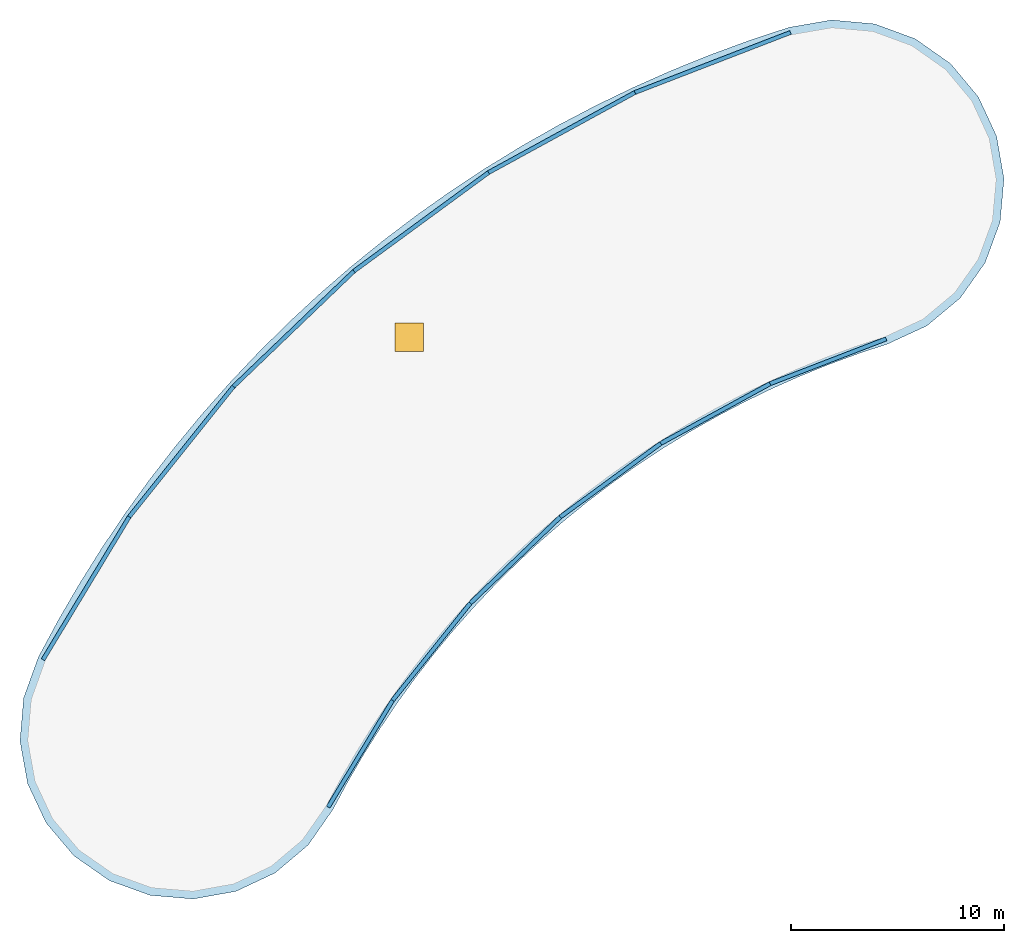
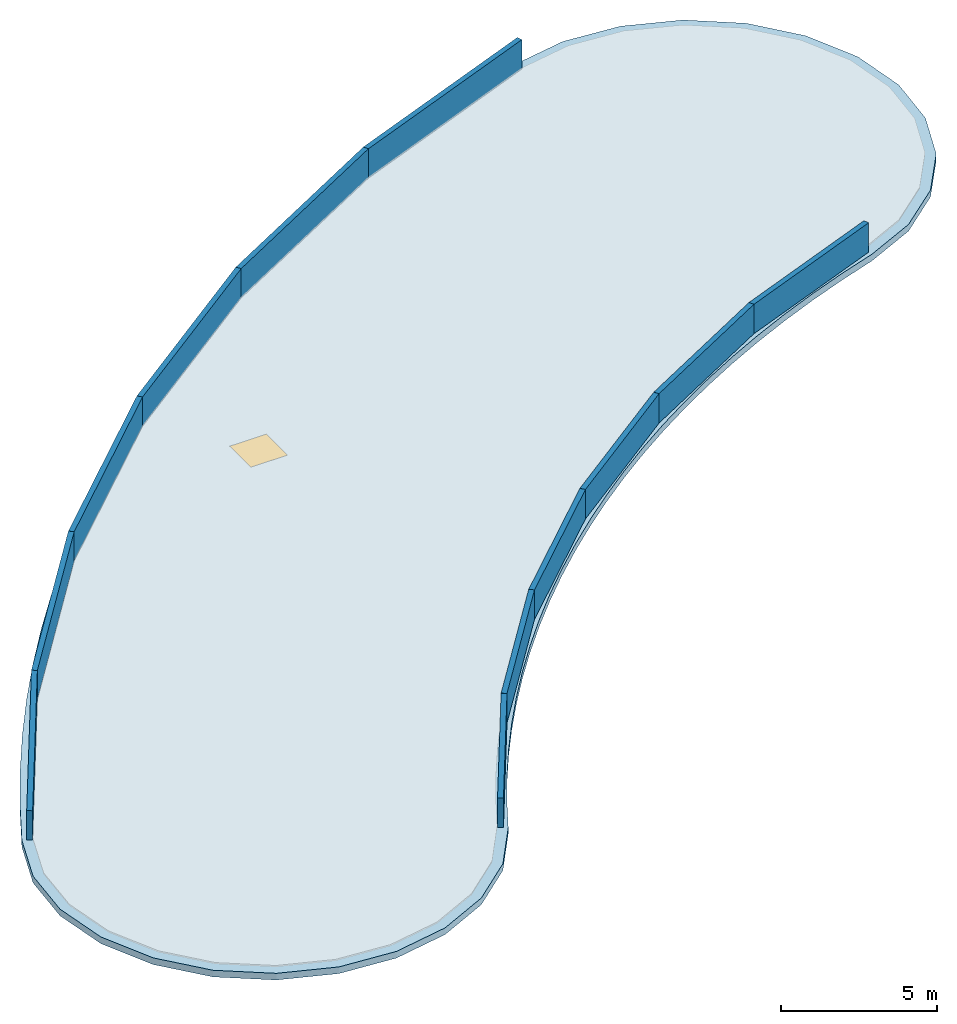
"""IFC4 building model written with IfcOpenShell, lengths in metres."""

from ifc_helpers import new_model, si_unit, direction, frame, frame_2d, origin, origin_2d, place, context, subcontext, project, spatial, polyline, rectangle, outline, extrude, material, layer, layer_set, type_object, element, fill, save


model = new_model("IFC4")

# Units and contexts
model_context = context("Model", 3, precision=1e-05, world=origin(), true_north=direction((0.0, 1.0)))
body_context = subcontext(model_context, "Body", "Model", "MODEL_VIEW")
ifc_project = project(units=[si_unit("LENGTHUNIT", "METRE"), si_unit("AREAUNIT", "SQUARE_METRE"), si_unit("VOLUMEUNIT", "CUBIC_METRE"), si_unit("PLANEANGLEUNIT", "RADIAN"), si_unit("MASSUNIT", "GRAM", prefix="KILO")], contexts=[model_context])

# Site, building, storey
site_placement = place(None, origin())
site = spatial("IfcSite", under=ifc_project, at=site_placement, CompositionType="ELEMENT")
building_placement = place(site_placement, origin())
building = spatial("IfcBuilding", under=site, at=building_placement, Name="Tanwirah Colonnade Gardens", CompositionType="ELEMENT")
storey_1_placement = place(building_placement, frame((0.0, 0.0, 52.52001953125)))
storey_1 = spatial("IfcBuildingStorey", under=building, at=storey_1_placement, Name="RF", CompositionType="ELEMENT", Elevation=52.52001953125)

# Slab, opening
ifc_material_1 = material(Name="Precast concrete C45/55", Category="concrete")
ifc_layer_1 = layer(ifc_material_1, 0.260009765625)
ifc_layer_set_1 = layer_set([ifc_layer_1], Name="Precast concrete C45/55")
slab_type = type_object("IfcSlabType", Name="RF-RES-260", PredefinedType="ROOF", material=ifc_layer_set_1)
slab_placement = place(storey_1_placement, frame((0.0, 0.0, -0.260009765625)))
slab = element("IfcSlab", 1, at=slab_placement, inside=storey_1, type_object=slab_type, Name="Block A Main Precast Roof Slab", PredefinedType="ROOF", context=body_context, shape_type="SweptSolid", body=[
    extrude(outline(polyline([(53.679443359375, 103.248046875), (55.242919921875, 104.55224609375), (56.415771484375, 106.216796875), (57.11767578125, 108.128173828125), (57.30126953125, 110.156005859375), (56.953369140625, 112.162353515625), (56.09814453125, 114.01025390625), (54.7939453125, 115.573974609375), (53.12939453125, 116.746826171875), (51.218017578125, 117.44873046875), (49.190185546875, 117.632080078125), (47.183837890625, 117.284423828125), (45.311767578125, 116.666015625), (43.46142578125, 115.986328125), (41.63427734375, 115.24609375), (39.83251953125, 114.446044921875), (38.05810546875, 113.587158203125), (36.313232421875, 112.669921875), (34.599365234375, 111.696044921875), (32.91845703125, 110.666015625), (31.2724609375, 109.5810546875), (29.6630859375, 108.442626953125), (28.092041015625, 107.25146484375), (26.561279296875, 106.009521484375), (25.072265625, 104.717529296875), (23.62646484375, 103.377197265625), (22.225830078125, 101.990234375), (20.87158203125, 100.5576171875), (19.5654296875, 99.0810546875), (18.30859375, 97.562255859375), (17.102294921875, 96.0029296875), (15.9482421875, 94.40478515625), (14.847412109375, 92.76953125), (13.80126953125, 91.0986328125), (12.810546875, 89.394287109375), (11.876708984375, 87.658203125), (11.185791015625, 85.74267578125), (11.01416015625, 83.7138671875), (11.37353515625, 81.70947265625), (12.239501953125, 79.86669921875), (13.552978515625, 78.310546875), (15.224365234375, 77.1474609375), (17.1396484375, 76.456787109375), (19.168701171875, 76.28515625), (21.1728515625, 76.64453125), (23.015869140625, 77.510498046875), (24.57177734375, 78.82373046875), (25.73486328125, 80.4951171875), (26.42529296875, 81.7783203125), (27.157470703125, 83.0380859375), (27.9306640625, 84.27294921875), (28.744384765625, 85.48193359375), (29.597412109375, 86.6630859375), (30.489013671875, 87.815673828125), (31.41796875, 88.938232421875), (32.38330078125, 90.029541015625), (33.38427734375, 91.08837890625), (34.419677734375, 92.11376953125), (35.48828125, 93.104248046875), (36.5888671875, 94.05908203125), (37.72021484375, 94.977294921875), (38.88134765625, 95.857421875), (40.07080078125, 96.698974609375), (41.28759765625, 97.5009765625), (42.52978515625, 98.26220703125), (43.796630859375, 98.982177734375), (45.08642578125, 99.659912109375), (46.39794921875, 100.294921875), (47.729736328125, 100.88623046875), (49.080078125, 101.433349609375), (50.447998046875, 101.935791015625), (51.83154296875, 102.392822265625), (53.679443359375, 103.248046875)])), origin(), (0.0, 0.0, 1.0), 0.260009765625),
])
opening_placement = place(slab_placement, frame((29.3251953125, 102.715576171875, -0.010009765625)))
opening = element("IfcOpeningElement", 2, at=opening_placement, cuts=slab, Name="Opening SKY-HAT2", PredefinedType="OPENING", context=body_context, shape_type="SweptSolid", body=[
    extrude(rectangle(XDim=1.35009765625, YDim=1.35009765625, at=origin_2d()), origin(), (0.0, 0.0, 1.0), 0.280029296875),
])

# Storey
storey_2_placement = place(building_placement, frame((0.0, 0.0, 49.159912109375)))
storey_2 = spatial("IfcBuildingStorey", under=building, at=storey_2_placement, Name="L14", CompositionType="ELEMENT", Elevation=49.159912109375)

# Window
ifc_material_2 = material(Name="Thermally broken bronze aluminium and solar low-E double glazing", Category="aluminium")
window_type = type_object("IfcWindowType", Name="SKY-HAT2", PartitioningType="SINGLE_PANEL", PredefinedType="SKYLIGHT", material=ifc_material_2)
window_placement = place(slab_placement, frame((29.3251953125, 102.715576171875, 0.2099609375)))
window = element("IfcWindow", 3, at=window_placement, inside=storey_2, type_object=window_type, Name="Block A Roof Access Skylight Hatch", OverallHeight=1.35009765625, OverallWidth=1.35009765625, PartitioningType="SINGLE_PANEL", PredefinedType="SKYLIGHT", context=body_context, shape_type="SweptSolid", body=[
    extrude(rectangle(XDim=1.35009765625, YDim=1.35009765625, at=origin_2d()), origin(), (0.0, 0.0, 1.0), 0.050048828125),
])

fill(opening, window)

# Walls
ifc_material_3 = material(Name="White architectural precast concrete C40/50", Category="concrete")
ifc_layer_2 = layer(ifc_material_3, 0.18994140625)
ifc_layer_set_2 = layer_set([ifc_layer_2], Name="White architectural precast concrete C40/50")
wall_type = type_object("IfcWallType", Name="EW-PAR190", PredefinedType="PARAPET", material=ifc_layer_set_2)
wall_1_placement = place(storey_1_placement, frame((47.25830078125, 117.045654296875, 0.0), z_axis=(0.0, 0.0, 1.0), x_axis=(-0.932882969955, -0.36017962792, 0.0)))
element("IfcWall", 4, at=wall_1_placement, inside=storey_1, type_object=wall_type, Name="Block A Roof Cornice Parapet OUT-0", PredefinedType="PARAPET", context=body_context, shape_type="SweptSolid", body=[
    extrude(rectangle(XDim=7.84716796875, YDim=0.18994140625, at=frame_2d((3.923583984375, 0.0))), origin(), (0.0, 0.0, 1.0), 1.14990234375),
])
wall_2_placement = place(storey_1_placement, frame((51.757080078125, 102.63134765625, 0.0), z_axis=(0.0, 0.0, 1.0), x_axis=(-0.932890456281, -0.360160237366, 0.0)))
element("IfcWall", 5, at=wall_2_placement, inside=storey_1, type_object=wall_type, Name="Block A Roof Cornice Parapet IN-0", PredefinedType="PARAPET", context=body_context, shape_type="SweptSolid", body=[
    extrude(rectangle(XDim=5.857421875, YDim=0.18994140625, at=frame_2d((2.9287109375, 0.0))), origin(), (0.0, 0.0, 1.0), 1.14990234375),
])
wall_3_placement = place(storey_1_placement, frame((39.937744140625, 114.21923828125, 0.0), z_axis=(0.0, 0.0, 1.0), x_axis=(-0.877436209985, -0.479693336839, 0.0)))
element("IfcWall", 6, at=wall_3_placement, inside=storey_1, type_object=wall_type, Name="Block A Roof Cornice Parapet OUT-2", PredefinedType="PARAPET", context=body_context, shape_type="SweptSolid", body=[
    extrude(rectangle(XDim=7.846923828125, YDim=0.18994140625, at=frame_2d((3.92333984375, 0.0))), origin(), (0.0, 0.0, 1.0), 1.14990234375),
])
wall_4_placement = place(storey_1_placement, frame((46.292724609375, 100.521728515625, 0.0), z_axis=(0.0, 0.0, 1.0), x_axis=(-0.877428434011, -0.47970756007, 0.0)))
element("IfcWall", 7, at=wall_4_placement, inside=storey_1, type_object=wall_type, Name="Block A Roof Cornice Parapet IN-2", PredefinedType="PARAPET", context=body_context, shape_type="SweptSolid", body=[
    extrude(rectangle(XDim=5.857421875, YDim=0.18994140625, at=frame_2d((2.9287109375, 0.0))), origin(), (0.0, 0.0, 1.0), 1.14990234375),
])
wall_5_placement = place(storey_1_placement, frame((33.052490234375, 110.455078125, 0.0), z_axis=(0.0, 0.0, 1.0), x_axis=(-0.806721390488, -0.590931974197, 0.0)))
element("IfcWall", 8, at=wall_5_placement, inside=storey_1, type_object=wall_type, Name="Block A Roof Cornice Parapet OUT-4", PredefinedType="PARAPET", context=body_context, shape_type="SweptSolid", body=[
    extrude(rectangle(XDim=7.84716796875, YDim=0.18994140625, at=frame_2d((3.923583984375, 0.0))), origin(), (0.0, 0.0, 1.0), 1.14990234375),
])
wall_6_placement = place(storey_1_placement, frame((41.1533203125, 97.7119140625, 0.0), z_axis=(0.0, 0.0, 1.0), x_axis=(-0.806736149109, -0.590911825674, 0.0)))
element("IfcWall", 9, at=wall_6_placement, inside=storey_1, type_object=wall_type, Name="Block A Roof Cornice Parapet IN-4", PredefinedType="PARAPET", context=body_context, shape_type="SweptSolid", body=[
    extrude(rectangle(XDim=5.857421875, YDim=0.18994140625, at=frame_2d((2.9287109375, 0.0))), origin(), (0.0, 0.0, 1.0), 1.14990234375),
])
wall_7_placement = place(storey_1_placement, frame((26.721923828125, 105.81787109375, 0.0), z_axis=(0.0, 0.0, 1.0), x_axis=(-0.72203547804, -0.691856031593, 0.0)))
element("IfcWall", 10, at=wall_7_placement, inside=storey_1, type_object=wall_type, Name="Block A Roof Cornice Parapet OUT-6", PredefinedType="PARAPET", context=body_context, shape_type="SweptSolid", body=[
    extrude(rectangle(XDim=7.846923828125, YDim=0.18994140625, at=frame_2d((3.92333984375, 0.0))), origin(), (0.0, 0.0, 1.0), 1.14990234375),
])
wall_8_placement = place(storey_1_placement, frame((36.427978515625, 94.250732421875, 0.0), z_axis=(0.0, 0.0, 1.0), x_axis=(-0.722014232229, -0.691878203485, 0.0)))
element("IfcWall", 11, at=wall_8_placement, inside=storey_1, type_object=wall_type, Name="Block A Roof Cornice Parapet IN-6", PredefinedType="PARAPET", context=body_context, shape_type="SweptSolid", body=[
    extrude(rectangle(XDim=5.857177734375, YDim=0.18994140625, at=frame_2d((2.9287109375, 0.0))), origin(), (0.0, 0.0, 1.0), 1.14990234375),
])
wall_9_placement = place(storey_1_placement, frame((21.05615234375, 100.388916015625, 0.0), z_axis=(0.0, 0.0, 1.0), x_axis=(-0.624778513512, -0.78080202936, 0.0)))
element("IfcWall", 12, at=wall_9_placement, inside=storey_1, type_object=wall_type, Name="Block A Roof Cornice Parapet OUT-8", PredefinedType="PARAPET", context=body_context, shape_type="SweptSolid", body=[
    extrude(rectangle(XDim=7.847412109375, YDim=0.18994140625, at=frame_2d((3.923828125, 0.0))), origin(), (0.0, 0.0, 1.0), 1.14990234375),
])
wall_10_placement = place(storey_1_placement, frame((32.198974609375, 90.1982421875, 0.0), z_axis=(0.0, 0.0, 1.0), x_axis=(-0.624786536438, -0.780795609546, 0.0)))
element("IfcWall", 13, at=wall_10_placement, inside=storey_1, type_object=wall_type, Name="Block A Roof Cornice Parapet IN-8", PredefinedType="PARAPET", context=body_context, shape_type="SweptSolid", body=[
    extrude(rectangle(XDim=5.857421875, YDim=0.18994140625, at=frame_2d((2.9287109375, 0.0))), origin(), (0.0, 0.0, 1.0), 1.14990234375),
])
wall_11_placement = place(storey_1_placement, frame((16.1533203125, 94.26171875, 0.0), z_axis=(0.0, 0.0, 1.0), x_axis=(-0.516717659636, -0.856155862107, 0.0)))
element("IfcWall", 14, at=wall_11_placement, inside=storey_1, type_object=wall_type, Name="Block A Roof Cornice Parapet OUT-10", PredefinedType="PARAPET", context=body_context, shape_type="SweptSolid", body=[
    extrude(rectangle(XDim=7.846923828125, YDim=0.18994140625, at=frame_2d((3.92333984375, 0.0))), origin(), (0.0, 0.0, 1.0), 1.14990234375),
])
wall_12_placement = place(storey_1_placement, frame((28.539306640625, 85.624755859375, 0.0), z_axis=(0.0, 0.0, 1.0), x_axis=(-0.516682352427, -0.856177170152, 0.0)))
element("IfcWall", 15, at=wall_12_placement, inside=storey_1, type_object=wall_type, Name="Block A Roof Cornice Parapet IN-10", PredefinedType="PARAPET", context=body_context, shape_type="SweptSolid", body=[
    extrude(rectangle(XDim=5.857421875, YDim=0.18994140625, at=frame_2d((2.9287109375, 0.0))), origin(), (0.0, 0.0, 1.0), 1.14990234375),
])

save(model, "model.ifc")
